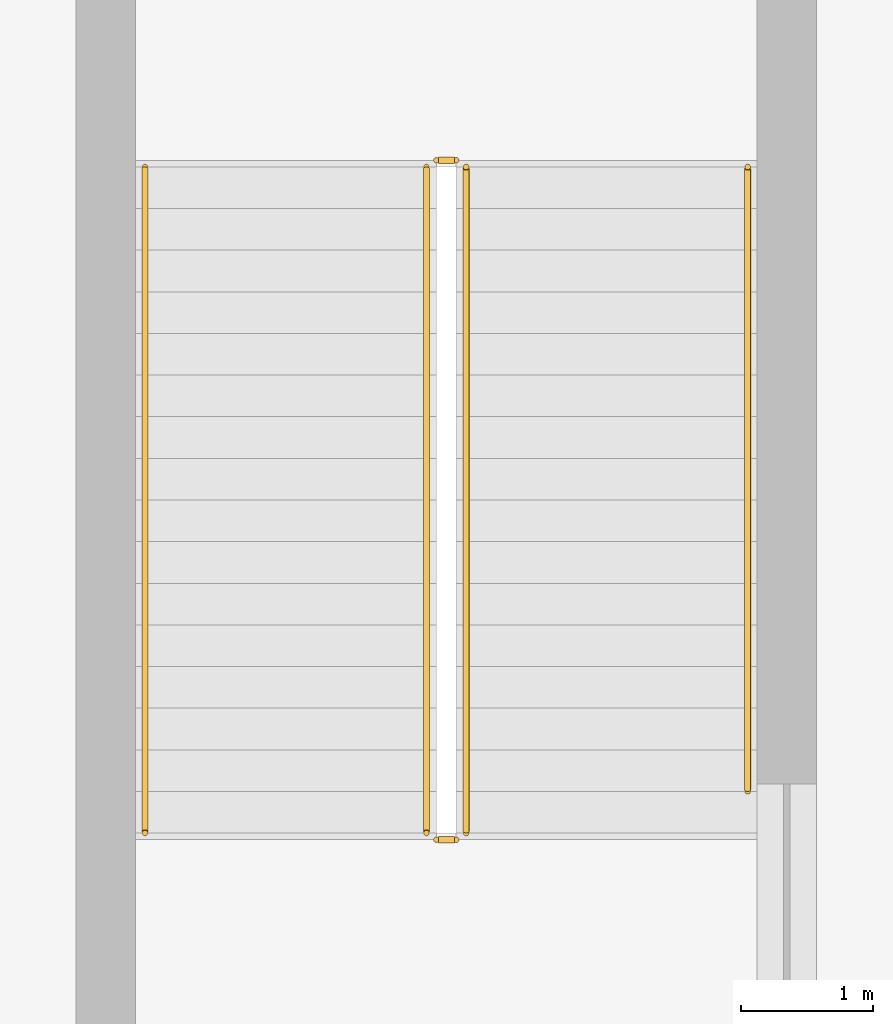
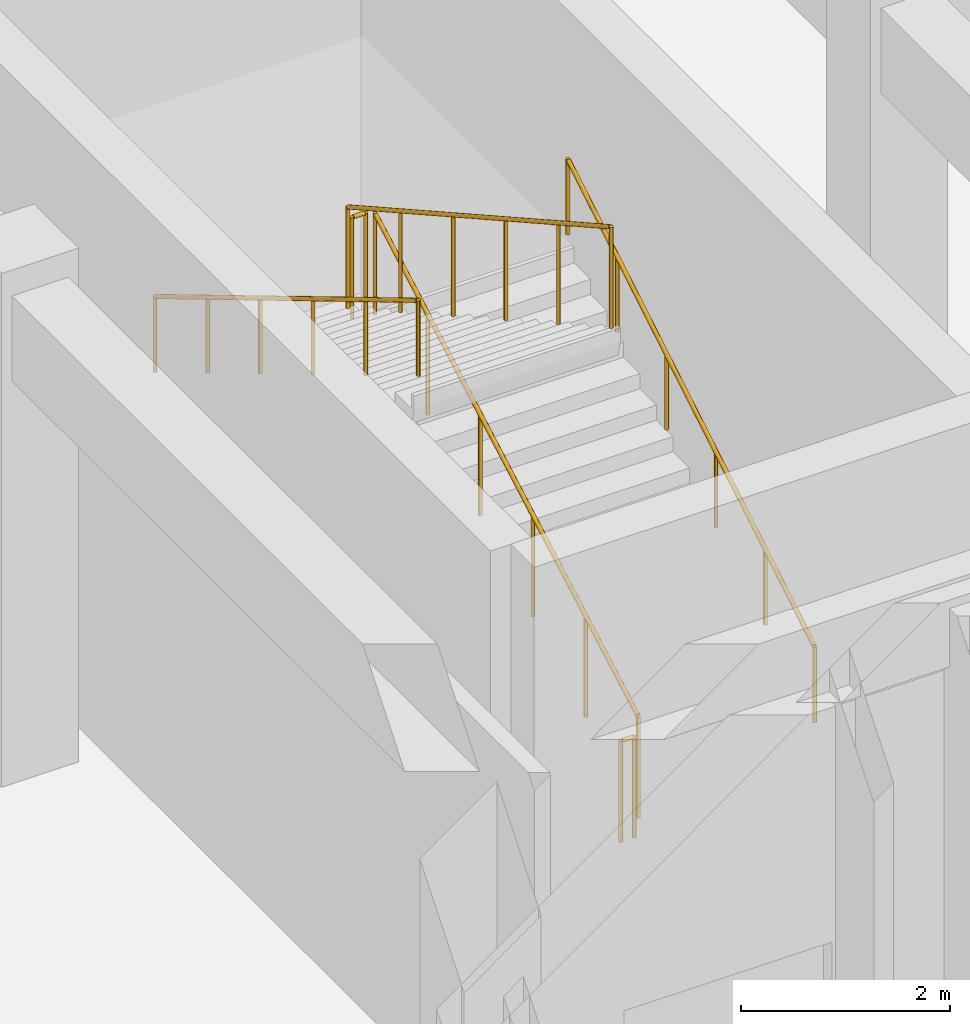
# One storey, part 65 of 87: 6 railings.
"""IFC4 building model written with IfcOpenShell, lengths in metres."""

from ifc_helpers import new_model, si_unit, direction, frame, origin, origin_2d, place, context, subcontext, project, spatial, circle, extrude, material, type_object, element, save


model = new_model("IFC4")

# Units and contexts
model_context = context("Model", 3, precision=1e-05, world=origin(), true_north=direction((0.0, 1.0)))
body_context = subcontext(model_context, "Body", "Model", "MODEL_VIEW")
ifc_project = project(units=[si_unit("LENGTHUNIT", "METRE"), si_unit("AREAUNIT", "SQUARE_METRE"), si_unit("VOLUMEUNIT", "CUBIC_METRE"), si_unit("PLANEANGLEUNIT", "RADIAN"), si_unit("MASSUNIT", "GRAM", prefix="KILO")], contexts=[model_context])

# Site, building, storey
site_placement = place(None, origin())
site = spatial("IfcSite", under=ifc_project, at=site_placement, CompositionType="ELEMENT")
building_placement = place(site_placement, origin())
building = spatial("IfcBuilding", under=site, at=building_placement, Name="Nakhvara Creek Congress Hotel", CompositionType="ELEMENT")
storey_placement = place(building_placement, origin())
storey = spatial("IfcBuildingStorey", under=building, at=storey_placement, Name="L00", CompositionType="ELEMENT", Elevation=0.0)

# Railings
ifc_material = material(Name="Brushed stainless steel 316L", Category="steel")
railing_type_1 = type_object("IfcRailingType", Name="RL-GUARD-1200", PredefinedType="GUARDRAIL", material=ifc_material)
railing_1_placement = place(storey_placement, frame((119.675048828125, 5.47998046875, 0.176513671875)))
element("IfcRailing", 1, at=railing_1_placement, inside=storey, type_object=railing_type_1, Name="L00 ST12 stair guard 1", PredefinedType="GUARDRAIL", context=body_context, shape_type="SweptSolid", body=[
    extrude(circle(Radius=0.02392578125, at=origin_2d()), frame((0.0, 0.012939453125, 1.18310546875), z_axis=(0.0, 0.872427454555, 0.488743630688), x_axis=(-1.0, 0.0, 0.0)), (0.0, 0.0, 1.0), 5.74755859375),
    extrude(circle(Radius=0.02099609375, at=origin_2d()), origin(), (0.0, 0.0, 1.0), 1.1806640625),
    extrude(circle(Radius=0.02099609375, at=origin_2d()), frame((0.0, 1.008056640625, 0.564697265625)), (0.0, 0.0, 1.0), 1.1806640625),
    extrude(circle(Radius=0.02099609375, at=origin_2d()), frame((0.0, 2.01611328125, 1.12939453125)), (0.0, 0.0, 1.0), 1.1806640625),
    extrude(circle(Radius=0.02099609375, at=origin_2d()), frame((0.0, 3.02392578125, 1.694091796875)), (0.0, 0.0, 1.0), 1.1806640625),
    extrude(circle(Radius=0.02099609375, at=origin_2d()), frame((0.0, 4.031982421875, 2.2587890625)), (0.0, 0.0, 1.0), 1.1806640625),
    extrude(circle(Radius=0.02099609375, at=origin_2d()), frame((0.0, 5.0400390625, 2.823486328125)), (0.0, 0.0, 1.0), 1.1806640625),
])
railing_2_placement = place(storey_placement, frame((119.60009765625, 10.570068359375, 3.0)))
element("IfcRailing", 2, at=railing_2_placement, inside=storey, type_object=railing_type_1, Name="L00 ST12 stair guard 2", PredefinedType="GUARDRAIL", context=body_context, shape_type="SweptSolid", body=[
    extrude(circle(Radius=0.02392578125, at=origin_2d()), frame((-0.0146484375, 0.0, 1.17578125), z_axis=(-1.0, 0.0, 0.0), x_axis=(0.0, -1.0, 0.0)), (0.0, 0.0, 1.0), 0.120849609375),
    extrude(circle(Radius=0.02099609375, at=origin_2d()), origin(), (0.0, 0.0, 1.0), 1.1806640625),
    extrude(circle(Radius=0.02099609375, at=origin_2d()), frame((-0.150146484375, 0.0, 0.0)), (0.0, 0.0, 1.0), 1.1806640625),
])
railing_3_placement = place(storey_placement, frame((119.375, 10.52001953125, 3.176513671875)))
element("IfcRailing", 3, at=railing_3_placement, inside=storey, type_object=railing_type_1, Name="L00 ST12 stair guard 3", PredefinedType="GUARDRAIL", context=body_context, shape_type="SweptSolid", body=[
    extrude(circle(Radius=0.02392578125, at=origin_2d()), frame((0.0, -0.012939453125, 1.18310546875), z_axis=(0.0, -0.872427454555, 0.488743630688), x_axis=(1.0, 0.0, 0.0)), (0.0, 0.0, 1.0), 5.74755859375),
    extrude(circle(Radius=0.02099609375, at=origin_2d()), origin(), (0.0, 0.0, 1.0), 1.1806640625),
    extrude(circle(Radius=0.02099609375, at=origin_2d()), frame((0.0, -1.008056640625, 0.564697265625)), (0.0, 0.0, 1.0), 1.1806640625),
    extrude(circle(Radius=0.02099609375, at=origin_2d()), frame((0.0, -2.01611328125, 1.12939453125)), (0.0, 0.0, 1.0), 1.1806640625),
    extrude(circle(Radius=0.02099609375, at=origin_2d()), frame((0.0, -3.02392578125, 1.694091796875)), (0.0, 0.0, 1.0), 1.1806640625),
    extrude(circle(Radius=0.02099609375, at=origin_2d()), frame((0.0, -4.031982421875, 2.2587890625)), (0.0, 0.0, 1.0), 1.1806640625),
    extrude(circle(Radius=0.02099609375, at=origin_2d()), frame((0.0, -5.0400390625, 2.823486328125)), (0.0, 0.0, 1.0), 1.1806640625),
])
railing_4_placement = place(storey_placement, frame((119.60009765625, 5.429931640625, 0.0)))
element("IfcRailing", 4, at=railing_4_placement, inside=storey, type_object=railing_type_1, Name="L00 ST12 stair guard 4", PredefinedType="GUARDRAIL", context=body_context, shape_type="SweptSolid", body=[
    extrude(circle(Radius=0.02392578125, at=origin_2d()), frame((-0.0146484375, 0.0, 1.17578125), z_axis=(-1.0, 0.0, 0.0), x_axis=(0.0, -1.0, 0.0)), (0.0, 0.0, 1.0), 0.120849609375),
    extrude(circle(Radius=0.02099609375, at=origin_2d()), origin(), (0.0, 0.0, 1.0), 1.1806640625),
    extrude(circle(Radius=0.02099609375, at=origin_2d()), frame((-0.150146484375, 0.0, 0.0)), (0.0, 0.0, 1.0), 1.1806640625),
])
railing_type_2 = type_object("IfcRailingType", Name="RL-HAND-900", PredefinedType="HANDRAIL", material=ifc_material)
railing_5_placement = place(storey_placement, frame((121.804931640625, 5.794921875, 0.35302734375)))
element("IfcRailing", 5, at=railing_5_placement, inside=storey, type_object=railing_type_2, Name="L00 ST12 stair handrail 1", PredefinedType="HANDRAIL", context=body_context, shape_type="SweptSolid", body=[
    extrude(circle(Radius=0.02392578125, at=origin_2d()), frame((0.0, 0.0126953125, 0.88330078125), z_axis=(0.0, 0.857539836654, 0.514417562445), x_axis=(-1.0, 0.0, 0.0)), (0.0, 0.0, 1.0), 5.480712890625),
    extrude(circle(Radius=0.02099609375, at=origin_2d()), origin(), (0.0, 0.0, 1.0), 0.880615234375),
    extrude(circle(Radius=0.02099609375, at=origin_2d()), frame((0.0, 0.945068359375, 0.56689453125)), (0.0, 0.0, 1.0), 0.880615234375),
    extrude(circle(Radius=0.02099609375, at=origin_2d()), frame((0.0, 1.89013671875, 1.1337890625)), (0.0, 0.0, 1.0), 0.880615234375),
    extrude(circle(Radius=0.02099609375, at=origin_2d()), frame((0.0, 2.8349609375, 1.70068359375)), (0.0, 0.0, 1.0), 0.880615234375),
    extrude(circle(Radius=0.02099609375, at=origin_2d()), frame((0.0, 3.780029296875, 2.267578125)), (0.0, 0.0, 1.0), 0.880615234375),
    extrude(circle(Radius=0.02099609375, at=origin_2d()), frame((0.0, 4.72509765625, 2.83447265625)), (0.0, 0.0, 1.0), 0.880615234375),
])
railing_6_placement = place(storey_placement, frame((117.2451171875, 10.52001953125, 3.176513671875)))
element("IfcRailing", 6, at=railing_6_placement, inside=storey, type_object=railing_type_2, Name="L00 ST12 stair handrail 2", PredefinedType="HANDRAIL", context=body_context, shape_type="SweptSolid", body=[
    extrude(circle(Radius=0.02392578125, at=origin_2d()), frame((0.0, -0.0126953125, 0.88330078125), z_axis=(0.0, -0.858471053773, 0.512862018319), x_axis=(1.0, 0.0, 0.0)), (0.0, 0.0, 1.0), 5.841552734375),
    extrude(circle(Radius=0.02099609375, at=origin_2d()), origin(), (0.0, 0.0, 1.0), 0.880615234375),
    extrude(circle(Radius=0.02099609375, at=origin_2d()), frame((0.0, -1.008056640625, 0.602294921875)), (0.0, 0.0, 1.0), 0.880615234375),
    extrude(circle(Radius=0.02099609375, at=origin_2d()), frame((0.0, -2.01611328125, 1.204345703125)), (0.0, 0.0, 1.0), 0.880615234375),
    extrude(circle(Radius=0.02099609375, at=origin_2d()), frame((0.0, -3.02392578125, 1.806640625)), (0.0, 0.0, 1.0), 0.880615234375),
    extrude(circle(Radius=0.02099609375, at=origin_2d()), frame((0.0, -4.031982421875, 2.40869140625)), (0.0, 0.0, 1.0), 0.880615234375),
    extrude(circle(Radius=0.02099609375, at=origin_2d()), frame((0.0, -5.0400390625, 3.010986328125)), (0.0, 0.0, 1.0), 0.880615234375),
])

save(model, "model.ifc")
